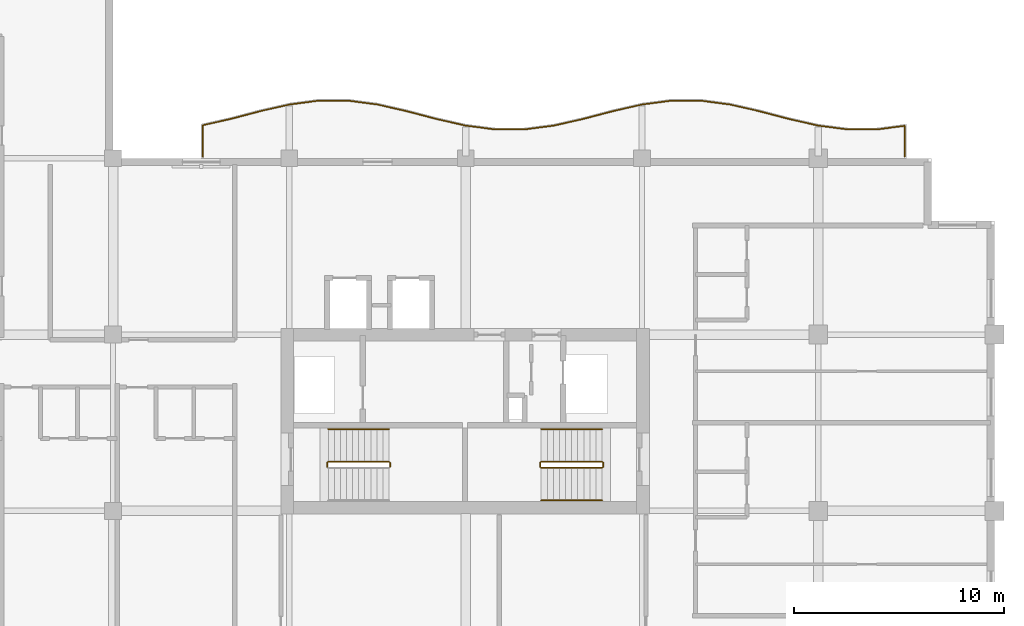
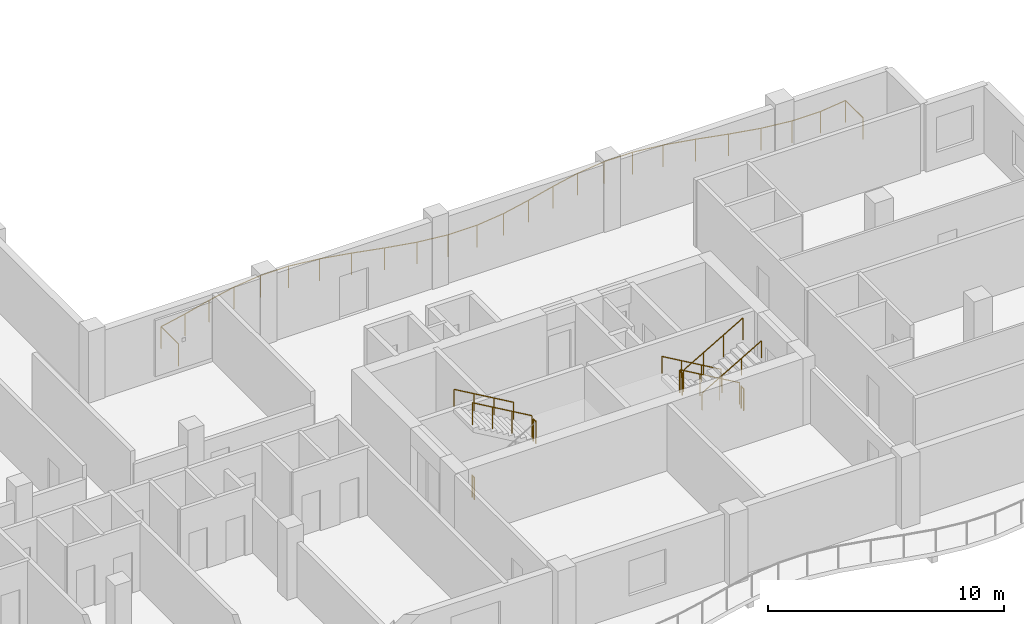
# One storey, part 11 of 12: 11 railings.
"""IFC4 building model written with IfcOpenShell, lengths in metres."""

from ifc_helpers import new_model, si_unit, direction, frame, origin, origin_2d, place, context, subcontext, project, spatial, circle, extrude, material, type_object, element, save


model = new_model("IFC4")

# Units and contexts
model_context = context("Model", 3, precision=1e-05, world=origin(), true_north=direction((0.0, 1.0)))
body_context = subcontext(model_context, "Body", "Model", "MODEL_VIEW")
ifc_project = project(units=[si_unit("LENGTHUNIT", "METRE"), si_unit("AREAUNIT", "SQUARE_METRE"), si_unit("VOLUMEUNIT", "CUBIC_METRE"), si_unit("PLANEANGLEUNIT", "RADIAN"), si_unit("MASSUNIT", "GRAM", prefix="KILO")], contexts=[model_context])

# Site, building, storey
site_placement = place(None, origin())
site = spatial("IfcSite", under=ifc_project, at=site_placement, CompositionType="ELEMENT")
building_placement = place(site_placement, origin())
building = spatial("IfcBuilding", under=site, at=building_placement, Name="Koriwani Terraces Tower", CompositionType="ELEMENT")
storey_placement = place(building_placement, frame((0.0, 0.0, 278.60009765625)))
storey = spatial("IfcBuildingStorey", under=building, at=storey_placement, Name="L69", CompositionType="ELEMENT", Elevation=278.60009765625)

# Railings
ifc_material = material(Name="Steel ASTM A572 Grade 50", Category="steel")
railing_type_1 = type_object("IfcRailingType", Name="GUARD_BALUSTRADE_1150", PredefinedType="BALUSTRADE", material=ifc_material)
railing_1_placement = place(storey_placement, frame((71.320068359375, 33.679931640625, 0.0)))
element("IfcRailing", 1, at=railing_1_placement, inside=storey, type_object=railing_type_1, Name="L69 Balcony Perimeter Safety Balustrade (NE)", PredefinedType="BALUSTRADE", context=body_context, shape_type="SweptSolid", body=[
    extrude(circle(Radius=0.02392578125, at=origin_2d()), frame((0.0, 0.0, 1.1259765625), z_axis=(0.0, 1.0, 0.0), x_axis=(-1.0, 0.0, 0.0)), (0.0, 0.0, 1.0), 1.466796875),
    extrude(circle(Radius=0.02392578125, at=origin_2d()), frame((0.0, 1.466796875, 1.1259765625), z_axis=(-0.991541795882, -0.129787776847, 0.0), x_axis=(0.129787776847, -0.991541795882, 0.0)), (0.0, 0.0, 1.0), 1.326171875),
    extrude(circle(Radius=0.02392578125, at=origin_2d()), frame((-1.31494140625, 1.294677734375, 1.1259765625), z_axis=(-1.0, 0.0, 0.0), x_axis=(0.0, -1.0, 0.0)), (0.0, 0.0, 1.0), 1.410400390625),
    extrude(circle(Radius=0.02392578125, at=origin_2d()), frame((-2.725341796875, 1.294677734375, 1.1259765625), z_axis=(-0.991528403605, 0.12989004906, 0.0), x_axis=(-0.12989004906, -0.991528403605, 0.0)), (0.0, 0.0, 1.0), 1.4208984375),
    extrude(circle(Radius=0.02392578125, at=origin_2d()), frame((-4.13427734375, 1.479248046875, 1.1259765625), z_axis=(-0.975122866469, 0.221665052023, 0.0), x_axis=(-0.221665052023, -0.975122866469, 0.0)), (0.0, 0.0, 1.0), 1.440673828125),
    extrude(circle(Radius=0.02392578125, at=origin_2d()), frame((-5.5390625, 1.798583984375, 1.1259765625), z_axis=(-0.967196782226, 0.254028314271, 0.0), x_axis=(-0.254028314271, -0.967196782226, 0.0)), (0.0, 0.0, 1.0), 1.447265625),
    extrude(circle(Radius=0.02392578125, at=origin_2d()), frame((-6.93896484375, 2.166259765625, 1.1259765625), z_axis=(-0.975164692652, 0.221480974814, 0.0), x_axis=(-0.221480974814, -0.975164692652, 0.0)), (0.0, 0.0, 1.0), 1.430908203125),
    extrude(circle(Radius=0.02392578125, at=origin_2d()), frame((-8.334228515625, 2.483154296875, 1.1259765625), z_axis=(-0.991493340479, 0.130157426935, 0.0), x_axis=(-0.130157426935, -0.991493340479, 0.0)), (0.0, 0.0, 1.0), 1.403076171875),
    extrude(circle(Radius=0.02392578125, at=origin_2d()), frame((-9.725341796875, 2.665771484375, 1.1259765625), z_axis=(-1.0, 0.0, 0.0), x_axis=(0.0, -1.0, 0.0)), (0.0, 0.0, 1.0), 1.3896484375),
    extrude(circle(Radius=0.02392578125, at=origin_2d()), frame((-11.114990234375, 2.665771484375, 1.1259765625), z_axis=(-0.991490391866, -0.130179886452, 0.0), x_axis=(0.130179886452, -0.991490391866, 0.0)), (0.0, 0.0, 1.0), 1.40283203125),
    extrude(circle(Radius=0.02392578125, at=origin_2d()), frame((-12.505859375, 2.483154296875, 1.1259765625), z_axis=(-0.975164692652, -0.221480974814, 0.0), x_axis=(0.221480974814, -0.975164692652, 0.0)), (0.0, 0.0, 1.0), 1.430908203125),
    extrude(circle(Radius=0.02392578125, at=origin_2d()), frame((-13.901123046875, 2.166259765625, 1.1259765625), z_axis=(-0.967196782226, -0.254028314271, 0.0), x_axis=(0.254028314271, -0.967196782226, 0.0)), (0.0, 0.0, 1.0), 1.447265625),
    extrude(circle(Radius=0.02392578125, at=origin_2d()), frame((-15.301025390625, 1.798583984375, 1.1259765625), z_axis=(-0.975131191317, -0.221628427149, 0.0), x_axis=(0.221628427149, -0.975131191317, 0.0)), (0.0, 0.0, 1.0), 1.44091796875),
    extrude(circle(Radius=0.02392578125, at=origin_2d()), frame((-16.7060546875, 1.479248046875, 1.1259765625), z_axis=(-0.991528403605, -0.12989004906, 0.0), x_axis=(0.12989004906, -0.991528403605, 0.0)), (0.0, 0.0, 1.0), 1.4208984375),
    extrude(circle(Radius=0.02392578125, at=origin_2d()), frame((-18.114990234375, 1.294677734375, 1.1259765625), z_axis=(-1.0, 0.0, 0.0), x_axis=(0.0, -1.0, 0.0)), (0.0, 0.0, 1.0), 1.41015625),
    extrude(circle(Radius=0.02392578125, at=origin_2d()), frame((-19.525146484375, 1.294677734375, 1.1259765625), z_axis=(-0.991528403605, 0.12989004906, 0.0), x_axis=(-0.12989004906, -0.991528403605, 0.0)), (0.0, 0.0, 1.0), 1.4208984375),
    extrude(circle(Radius=0.02392578125, at=origin_2d()), frame((-20.93408203125, 1.479248046875, 1.1259765625), z_axis=(-0.975131191317, 0.221628427149, 0.0), x_axis=(-0.221628427149, -0.975131191317, 0.0)), (0.0, 0.0, 1.0), 1.44091796875),
    extrude(circle(Radius=0.02392578125, at=origin_2d()), frame((-22.339111328125, 1.798583984375, 1.1259765625), z_axis=(-0.967196782226, 0.254028314271, 0.0), x_axis=(-0.254028314271, -0.967196782226, 0.0)), (0.0, 0.0, 1.0), 1.447265625),
    extrude(circle(Radius=0.02392578125, at=origin_2d()), frame((-23.739013671875, 2.166259765625, 1.1259765625), z_axis=(-0.975164692652, 0.221480974814, 0.0), x_axis=(-0.221480974814, -0.975164692652, 0.0)), (0.0, 0.0, 1.0), 1.430908203125),
    extrude(circle(Radius=0.02392578125, at=origin_2d()), frame((-25.13427734375, 2.483154296875, 1.1259765625), z_axis=(-0.991490391866, 0.130179886452, 0.0), x_axis=(-0.130179886452, -0.991490391866, 0.0)), (0.0, 0.0, 1.0), 1.40283203125),
    extrude(circle(Radius=0.02392578125, at=origin_2d()), frame((-26.525146484375, 2.665771484375, 1.1259765625), z_axis=(-1.0, 0.0, 0.0), x_axis=(0.0, -1.0, 0.0)), (0.0, 0.0, 1.0), 1.3896484375),
    extrude(circle(Radius=0.02392578125, at=origin_2d()), frame((-27.914794921875, 2.665771484375, 1.1259765625), z_axis=(-0.991493340479, -0.130157426935, 0.0), x_axis=(0.130157426935, -0.991493340479, 0.0)), (0.0, 0.0, 1.0), 1.403076171875),
    extrude(circle(Radius=0.02392578125, at=origin_2d()), frame((-29.305908203125, 2.483154296875, 1.1259765625), z_axis=(-0.975164692652, -0.221480974814, 0.0), x_axis=(0.221480974814, -0.975164692652, 0.0)), (0.0, 0.0, 1.0), 1.430908203125),
    extrude(circle(Radius=0.02392578125, at=origin_2d()), frame((-30.701171875, 2.166259765625, 1.1259765625), z_axis=(-0.967196782226, -0.254028314271, 0.0), x_axis=(0.254028314271, -0.967196782226, 0.0)), (0.0, 0.0, 1.0), 1.447265625),
    extrude(circle(Radius=0.02392578125, at=origin_2d()), frame((-32.10107421875, 1.798583984375, 1.1259765625), z_axis=(-0.97511713615, -0.221690258665, 0.0), x_axis=(0.221690258665, -0.97511713615, 0.0)), (0.0, 0.0, 1.0), 1.373291015625),
    extrude(circle(Radius=0.02392578125, at=origin_2d()), frame((-33.440185546875, 1.494140625, 1.1259765625), z_axis=(0.0, -1.0, 0.0), x_axis=(1.0, 0.0, 0.0)), (0.0, 0.0, 1.0), 1.494140625),
    extrude(circle(Radius=0.02099609375, at=origin_2d()), origin(), (0.0, 0.0, 1.0), 1.101806640625),
    extrude(circle(Radius=0.02099609375, at=origin_2d()), frame((0.0, 1.466796875, 0.0)), (0.0, 0.0, 1.0), 1.101806640625),
    extrude(circle(Radius=0.02099609375, at=origin_2d()), frame((-1.31494140625, 1.294677734375, 0.0)), (0.0, 0.0, 1.0), 1.101806640625),
    extrude(circle(Radius=0.02099609375, at=origin_2d()), frame((-2.725341796875, 1.294677734375, 0.0)), (0.0, 0.0, 1.0), 1.101806640625),
    extrude(circle(Radius=0.02099609375, at=origin_2d()), frame((-4.13427734375, 1.479248046875, 0.0)), (0.0, 0.0, 1.0), 1.101806640625),
    extrude(circle(Radius=0.02099609375, at=origin_2d()), frame((-5.5390625, 1.798583984375, 0.0)), (0.0, 0.0, 1.0), 1.101806640625),
    extrude(circle(Radius=0.02099609375, at=origin_2d()), frame((-6.93896484375, 2.166259765625, 0.0)), (0.0, 0.0, 1.0), 1.101806640625),
    extrude(circle(Radius=0.02099609375, at=origin_2d()), frame((-8.334228515625, 2.483154296875, 0.0)), (0.0, 0.0, 1.0), 1.101806640625),
    extrude(circle(Radius=0.02099609375, at=origin_2d()), frame((-9.725341796875, 2.665771484375, 0.0)), (0.0, 0.0, 1.0), 1.101806640625),
    extrude(circle(Radius=0.02099609375, at=origin_2d()), frame((-11.114990234375, 2.665771484375, 0.0)), (0.0, 0.0, 1.0), 1.101806640625),
    extrude(circle(Radius=0.02099609375, at=origin_2d()), frame((-12.505859375, 2.483154296875, 0.0)), (0.0, 0.0, 1.0), 1.101806640625),
    extrude(circle(Radius=0.02099609375, at=origin_2d()), frame((-13.901123046875, 2.166259765625, 0.0)), (0.0, 0.0, 1.0), 1.101806640625),
    extrude(circle(Radius=0.02099609375, at=origin_2d()), frame((-15.301025390625, 1.798583984375, 0.0)), (0.0, 0.0, 1.0), 1.101806640625),
    extrude(circle(Radius=0.02099609375, at=origin_2d()), frame((-16.7060546875, 1.479248046875, 0.0)), (0.0, 0.0, 1.0), 1.101806640625),
    extrude(circle(Radius=0.02099609375, at=origin_2d()), frame((-18.114990234375, 1.294677734375, 0.0)), (0.0, 0.0, 1.0), 1.101806640625),
    extrude(circle(Radius=0.02099609375, at=origin_2d()), frame((-19.525146484375, 1.294677734375, 0.0)), (0.0, 0.0, 1.0), 1.101806640625),
    extrude(circle(Radius=0.02099609375, at=origin_2d()), frame((-20.93408203125, 1.479248046875, 0.0)), (0.0, 0.0, 1.0), 1.101806640625),
    extrude(circle(Radius=0.02099609375, at=origin_2d()), frame((-22.339111328125, 1.798583984375, 0.0)), (0.0, 0.0, 1.0), 1.101806640625),
    extrude(circle(Radius=0.02099609375, at=origin_2d()), frame((-23.739013671875, 2.166259765625, 0.0)), (0.0, 0.0, 1.0), 1.101806640625),
    extrude(circle(Radius=0.02099609375, at=origin_2d()), frame((-25.13427734375, 2.483154296875, 0.0)), (0.0, 0.0, 1.0), 1.101806640625),
    extrude(circle(Radius=0.02099609375, at=origin_2d()), frame((-26.525146484375, 2.665771484375, 0.0)), (0.0, 0.0, 1.0), 1.101806640625),
    extrude(circle(Radius=0.02099609375, at=origin_2d()), frame((-27.914794921875, 2.665771484375, 0.0)), (0.0, 0.0, 1.0), 1.101806640625),
    extrude(circle(Radius=0.02099609375, at=origin_2d()), frame((-29.305908203125, 2.483154296875, 0.0)), (0.0, 0.0, 1.0), 1.101806640625),
    extrude(circle(Radius=0.02099609375, at=origin_2d()), frame((-30.701171875, 2.166259765625, 0.0)), (0.0, 0.0, 1.0), 1.101806640625),
    extrude(circle(Radius=0.02099609375, at=origin_2d()), frame((-32.10107421875, 1.798583984375, 0.0)), (0.0, 0.0, 1.0), 1.101806640625),
    extrude(circle(Radius=0.02099609375, at=origin_2d()), frame((-33.440185546875, 1.494140625, 0.0)), (0.0, 0.0, 1.0), 1.101806640625),
    extrude(circle(Radius=0.02099609375, at=origin_2d()), frame((-33.440185546875, 0.0, 0.0)), (0.0, 0.0, 1.0), 1.101806640625),
])
railing_type_2 = type_object("IfcRailingType", Name="GUARD_STAIR_WELL_1120", PredefinedType="GUARDRAIL", material=ifc_material)
railing_2_placement = place(storey_placement, frame((46.800048828125, 18.89990234375, 1.849853515625)))
element("IfcRailing", 2, at=railing_2_placement, inside=storey, type_object=railing_type_2, Name="L69 ST-E1 stair guard 2", PredefinedType="GUARDRAIL", context=body_context, shape_type="SweptSolid", body=[
    extrude(circle(Radius=0.02392578125, at=origin_2d()), frame((0.0, 0.0, 1.1259765625), z_axis=(0.0, 1.0, 0.0), x_axis=(-1.0, 0.0, 0.0)), (0.0, 0.0, 1.0), 0.2001953125),
    extrude(circle(Radius=0.02099609375, at=origin_2d()), origin(), (0.0, 0.0, 1.0), 1.101806640625),
    extrude(circle(Radius=0.02099609375, at=origin_2d()), frame((0.0, 0.2001953125, 0.0)), (0.0, 0.0, 1.0), 1.101806640625),
])
railing_3_placement = place(storey_placement, frame((46.75, 19.14990234375, 2.01806640625)))
element("IfcRailing", 3, at=railing_3_placement, inside=storey, type_object=railing_type_2, Name="L69 ST-E1 stair guard 3", PredefinedType="GUARDRAIL", context=body_context, shape_type="SweptSolid", body=[
    extrude(circle(Radius=0.02392578125, at=origin_2d()), frame((0.0, 0.0, 1.1259765625), z_axis=(-0.865038774852, 0.0, 0.501705010941), x_axis=(0.0, -1.0, 0.0)), (0.0, 0.0, 1.0), 3.352294921875),
    extrude(circle(Radius=0.02099609375, at=origin_2d()), origin(), (0.0, 0.0, 1.0), 1.101806640625),
    extrude(circle(Radius=0.02099609375, at=origin_2d()), frame((-0.966552734375, 0.0, 0.560546875)), (0.0, 0.0, 1.0), 1.101806640625),
    extrude(circle(Radius=0.02099609375, at=origin_2d()), frame((-1.933349609375, 0.0, 1.121337890625)), (0.0, 0.0, 1.0), 1.101806640625),
    extrude(circle(Radius=0.02099609375, at=origin_2d()), frame((-2.89990234375, 0.0, 1.681884765625)), (0.0, 0.0, 1.0), 1.101806640625),
])
railing_4_placement = place(storey_placement, frame((43.800048828125, 18.89990234375, 0.0)))
element("IfcRailing", 4, at=railing_4_placement, inside=storey, type_object=railing_type_2, Name="L69 ST-E1 stair guard 4", PredefinedType="GUARDRAIL", context=body_context, shape_type="SweptSolid", body=[
    extrude(circle(Radius=0.02392578125, at=origin_2d()), frame((0.0, 0.0, 1.1259765625), z_axis=(0.0, 1.0, 0.0), x_axis=(-1.0, 0.0, 0.0)), (0.0, 0.0, 1.0), 0.2001953125),
    extrude(circle(Radius=0.02099609375, at=origin_2d()), origin(), (0.0, 0.0, 1.0), 1.101806640625),
    extrude(circle(Radius=0.02099609375, at=origin_2d()), frame((0.0, 0.2001953125, 0.0)), (0.0, 0.0, 1.0), 1.101806640625),
])
railing_5_placement = place(storey_placement, frame((56.89990234375, 19.14990234375, 0.16796875)))
element("IfcRailing", 5, at=railing_5_placement, inside=storey, type_object=railing_type_2, Name="L69 ST-E2 stair guard 1", PredefinedType="GUARDRAIL", context=body_context, shape_type="SweptSolid", body=[
    extrude(circle(Radius=0.02392578125, at=origin_2d()), frame((0.0, 0.0, 1.1259765625), z_axis=(-0.865038774852, 0.0, 0.501705010941), x_axis=(0.0, -1.0, 0.0)), (0.0, 0.0, 1.0), 3.352294921875),
    extrude(circle(Radius=0.02099609375, at=origin_2d()), origin(), (0.0, 0.0, 1.0), 1.101806640625),
    extrude(circle(Radius=0.02099609375, at=origin_2d()), frame((-0.966552734375, 0.0, 0.560546875)), (0.0, 0.0, 1.0), 1.101806640625),
    extrude(circle(Radius=0.02099609375, at=origin_2d()), frame((-1.933349609375, 0.0, 1.121337890625)), (0.0, 0.0, 1.0), 1.101806640625),
    extrude(circle(Radius=0.02099609375, at=origin_2d()), frame((-2.89990234375, 0.0, 1.681884765625)), (0.0, 0.0, 1.0), 1.101806640625),
])
railing_6_placement = place(storey_placement, frame((53.949951171875, 19.10009765625, 1.849853515625)))
element("IfcRailing", 6, at=railing_6_placement, inside=storey, type_object=railing_type_2, Name="L69 ST-E2 stair guard 2", PredefinedType="GUARDRAIL", context=body_context, shape_type="SweptSolid", body=[
    extrude(circle(Radius=0.02392578125, at=origin_2d()), frame((0.0, 0.0, 1.1259765625), z_axis=(0.0, -1.0, 0.0), x_axis=(1.0, 0.0, 0.0)), (0.0, 0.0, 1.0), 0.2001953125),
    extrude(circle(Radius=0.02099609375, at=origin_2d()), origin(), (0.0, 0.0, 1.0), 1.101806640625),
    extrude(circle(Radius=0.02099609375, at=origin_2d()), frame((0.0, -0.2001953125, 0.0)), (0.0, 0.0, 1.0), 1.101806640625),
])
railing_7_placement = place(storey_placement, frame((54.0, 18.85009765625, 2.01806640625)))
element("IfcRailing", 7, at=railing_7_placement, inside=storey, type_object=railing_type_2, Name="L69 ST-E2 stair guard 3", PredefinedType="GUARDRAIL", context=body_context, shape_type="SweptSolid", body=[
    extrude(circle(Radius=0.02392578125, at=origin_2d()), frame((0.0, 0.0, 1.1259765625), z_axis=(0.865038774852, 0.0, 0.501705010941), x_axis=(0.0, 1.0, 0.0)), (0.0, 0.0, 1.0), 3.352294921875),
    extrude(circle(Radius=0.02099609375, at=origin_2d()), origin(), (0.0, 0.0, 1.0), 1.101806640625),
    extrude(circle(Radius=0.02099609375, at=origin_2d()), frame((0.966552734375, 0.0, 0.560546875)), (0.0, 0.0, 1.0), 1.101806640625),
    extrude(circle(Radius=0.02099609375, at=origin_2d()), frame((1.933349609375, 0.0, 1.121337890625)), (0.0, 0.0, 1.0), 1.101806640625),
    extrude(circle(Radius=0.02099609375, at=origin_2d()), frame((2.89990234375, 0.0, 1.681884765625)), (0.0, 0.0, 1.0), 1.101806640625),
])
railing_8_placement = place(storey_placement, frame((56.949951171875, 19.10009765625, 0.0)))
element("IfcRailing", 8, at=railing_8_placement, inside=storey, type_object=railing_type_2, Name="L69 ST-E2 stair guard 4", PredefinedType="GUARDRAIL", context=body_context, shape_type="SweptSolid", body=[
    extrude(circle(Radius=0.02392578125, at=origin_2d()), frame((0.0, 0.0, 1.1259765625), z_axis=(0.0, -1.0, 0.0), x_axis=(1.0, 0.0, 0.0)), (0.0, 0.0, 1.0), 0.2001953125),
    extrude(circle(Radius=0.02099609375, at=origin_2d()), origin(), (0.0, 0.0, 1.0), 1.101806640625),
    extrude(circle(Radius=0.02099609375, at=origin_2d()), frame((0.0, -0.2001953125, 0.0)), (0.0, 0.0, 1.0), 1.101806640625),
])
railing_type_3 = type_object("IfcRailingType", Name="HANDRAIL_STAIR_920", PredefinedType="HANDRAIL", material=ifc_material)
for number, where, name in (
    (9, (46.75, 20.699951171875, 2.01806640625), "L69 ST-E1 stair handrail 2"),
    (10, (56.89990234375, 20.699951171875, 0.16796875), "L69 ST-E2 stair handrail 1"),
):
    element("IfcRailing", number, at=place(storey_placement, frame(where)), inside=storey, type_object=railing_type_3, Name=name, PredefinedType="HANDRAIL", context=body_context, shape_type="SweptSolid", body=[
        extrude(circle(Radius=0.02392578125, at=origin_2d()), frame((0.0, 0.0, 0.8759765625), z_axis=(-0.865038774852, 0.0, 0.501705010941), x_axis=(0.0, -1.0, 0.0)), (0.0, 0.0, 1.0), 3.352294921875),
        extrude(circle(Radius=0.02099609375, at=origin_2d()), origin(), (0.0, 0.0, 1.0), 0.851806640625),
        extrude(circle(Radius=0.02099609375, at=origin_2d()), frame((-0.966552734375, 0.0, 0.560546875)), (0.0, 0.0, 1.0), 0.851806640625),
        extrude(circle(Radius=0.02099609375, at=origin_2d()), frame((-1.933349609375, 0.0, 1.121337890625)), (0.0, 0.0, 1.0), 0.851806640625),
        extrude(circle(Radius=0.02099609375, at=origin_2d()), frame((-2.89990234375, 0.0, 1.681884765625)), (0.0, 0.0, 1.0), 0.851806640625),
    ])
railing_9_placement = place(storey_placement, frame((54.0, 17.300048828125, 2.01806640625)))
element("IfcRailing", 11, at=railing_9_placement, inside=storey, type_object=railing_type_3, Name="L69 ST-E2 stair handrail 2", PredefinedType="HANDRAIL", context=body_context, shape_type="SweptSolid", body=[
    extrude(circle(Radius=0.02392578125, at=origin_2d()), frame((0.0, 0.0, 0.8759765625), z_axis=(0.865038774852, 0.0, 0.501705010941), x_axis=(0.0, 1.0, 0.0)), (0.0, 0.0, 1.0), 3.352294921875),
    extrude(circle(Radius=0.02099609375, at=origin_2d()), origin(), (0.0, 0.0, 1.0), 0.851806640625),
    extrude(circle(Radius=0.02099609375, at=origin_2d()), frame((0.966552734375, 0.0, 0.560546875)), (0.0, 0.0, 1.0), 0.851806640625),
    extrude(circle(Radius=0.02099609375, at=origin_2d()), frame((1.933349609375, 0.0, 1.121337890625)), (0.0, 0.0, 1.0), 0.851806640625),
    extrude(circle(Radius=0.02099609375, at=origin_2d()), frame((2.89990234375, 0.0, 1.681884765625)), (0.0, 0.0, 1.0), 0.851806640625),
])

save(model, "model.ifc")
